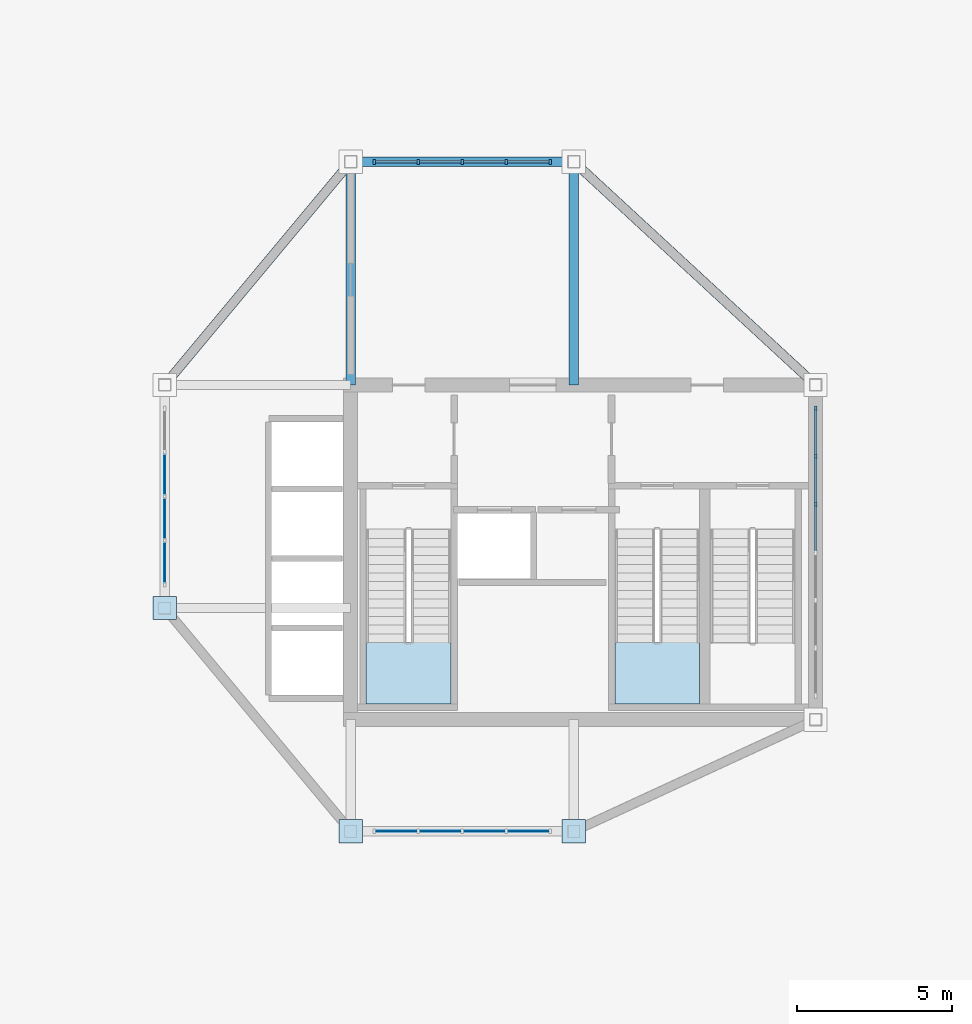
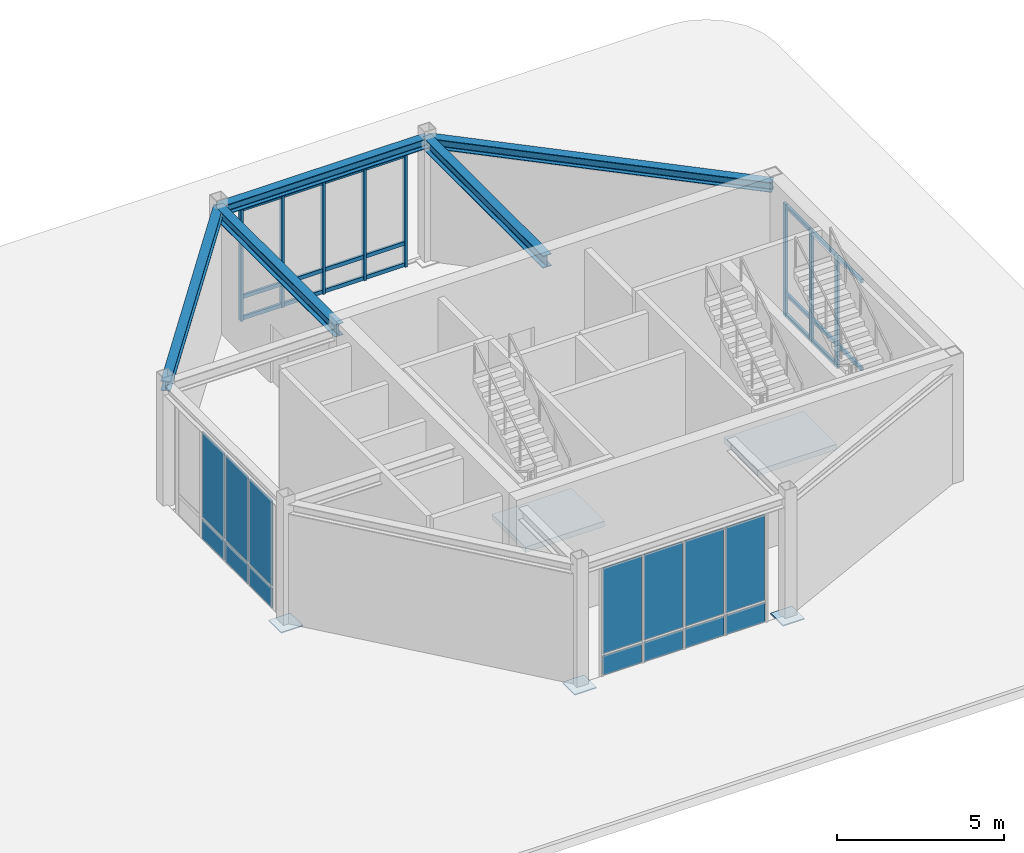
# One storey, part 2 of 5: 28 members, 17 plates, 5 beams, 2 slabs, 6 elements without a shape of their own.
"""IFC4 building model written with IfcOpenShell, lengths in metres."""

import ifcopenshell
import ifcopenshell.guid

model = None  # the IFC model being written
_history = None  # IfcOwnerHistory: only IFC2X3 demands one
_inside = {}  # id of a spatial element -> (the spatial element, [elements in it])
_under = {}  # id of a project, library or spatial element -> (it, [spatial elements below it])
_declared = {}  # id of a project -> (the project, [libraries it declares])
_typed = {}  # id of a type object -> (the type object, [elements of that type])
_made_of = {}  # id of a material, layer set ... -> (it, [elements and type objects made of it])


def new_model(schema):
    """Start an empty IFC model of exactly this schema.

    Asked for "IFC4X3", IfcOpenShell would pick the latest addendum, in which some entities
    have other attributes; the version numbers below select the first issue.
    IFC2X3 requires an IfcOwnerHistory on every rooted entity: one is made here for all.
    """
    global model, _history
    if schema == "IFC4X3":
        model = ifcopenshell.file(schema_version=(4, 3, 0, 0))
    else:
        model = ifcopenshell.file(schema=schema)
    _inside.clear()
    _under.clear()
    _declared.clear()
    _typed.clear()
    _made_of.clear()
    _history = None
    if model.schema == "IFC2X3":
        org = make("IfcOrganization", Name="unknown")
        user = make(
            "IfcPersonAndOrganization",
            ThePerson=make("IfcPerson", FamilyName="unknown"),
            TheOrganization=org,
        )
        app = make(
            "IfcApplication",
            ApplicationDeveloper=org,
            Version="unknown",
            ApplicationFullName="unknown",
            ApplicationIdentifier="unknown",
        )
        _history = make(
            "IfcOwnerHistory",
            OwningUser=user,
            OwningApplication=app,
            ChangeAction="ADDED",
            CreationDate=0,
        )
    return model


def make(cls, **values):
    """One entity of the class cls with the attributes given. An attribute that is None is left unset."""
    return model.create_entity(
        cls, **{name: value for name, value in values.items() if value is not None}
    )


def rooted(cls, **values):
    """An entity with a GlobalId (a new one), such as an element, a storey or a relation."""
    return make(cls, GlobalId=ifcopenshell.guid.new(), OwnerHistory=_history, **values)


def si_unit(unit_type, name, prefix=None):
    """IfcSIUnit, for example si_unit("LENGTHUNIT", "METRE", prefix="MILLI")."""
    return make("IfcSIUnit", UnitType=unit_type, Prefix=prefix, Name=name)


def derived_unit(unit_type, elements):
    """IfcDerivedUnit: a product of units, each with its exponent."""
    return make(
        "IfcDerivedUnit",
        Elements=[
            make("IfcDerivedUnitElement", Unit=unit, Exponent=power)
            for unit, power in elements
        ],
        UnitType=unit_type,
    )


def assignment(units):
    """IfcUnitAssignment: the units of a project."""
    return None if units is None else make("IfcUnitAssignment", Units=units)


def point(xyz):
    """IfcCartesianPoint."""
    return None if xyz is None else make("IfcCartesianPoint", Coordinates=xyz)


def direction(xyz):
    """IfcDirection."""
    return None if xyz is None else make("IfcDirection", DirectionRatios=xyz)


def frame(location, z_axis=None, x_axis=None):
    """IfcAxis2Placement3D, a coordinate frame: its origin and axes. An axis left out is left unset."""
    return make(
        "IfcAxis2Placement3D",
        Location=point(location),
        Axis=direction(z_axis),
        RefDirection=direction(x_axis),
    )


def frame_2d(location, x_axis=None):
    """IfcAxis2Placement2D, a coordinate frame in the plane: its origin and x axis."""
    return make(
        "IfcAxis2Placement2D", Location=point(location), RefDirection=direction(x_axis)
    )


def origin():
    """The frame at (0, 0, 0) with its axes left unset."""
    return frame((0.0, 0.0, 0.0))


def origin_2d():
    """The frame at (0, 0) in the plane with its x axis left unset."""
    return frame_2d((0.0, 0.0))


def place(relative_to, where):
    """IfcLocalPlacement: puts the frame where relative to a parent placement (None: the world)."""
    return make(
        "IfcLocalPlacement", PlacementRelTo=relative_to, RelativePlacement=where
    )


def context(
    kind, dimensions, precision=None, world=None, true_north=None, identifier=None
):
    """IfcGeometricRepresentationContext, for example the 3D "Model" context."""
    return make(
        "IfcGeometricRepresentationContext",
        ContextIdentifier=identifier,
        ContextType=kind,
        CoordinateSpaceDimension=dimensions,
        Precision=precision,
        WorldCoordinateSystem=world,
        TrueNorth=true_north,
    )


def subcontext(parent, identifier, kind, view, scale=None):
    """IfcGeometricRepresentationSubContext, for example "Body" below "Model"."""
    return make(
        "IfcGeometricRepresentationSubContext",
        ContextIdentifier=identifier,
        ContextType=kind,
        ParentContext=parent,
        TargetScale=scale,
        TargetView=view,
    )


def project(units=None, contexts=None):
    """IfcProject with its units and contexts."""
    return rooted(
        "IfcProject",
        Name="project",
        RepresentationContexts=contexts,
        UnitsInContext=assignment(units),
    )


def spatial(cls, under=None, at=None, **own):
    """A site, building, storey or space (cls), placed at a placement, below another one or the project."""
    s = rooted(cls, ObjectPlacement=at, **own)
    if under is not None:
        _under.setdefault(under.id(), (under, []))[1].append(s)
    return s


def polyline(points):
    """IfcPolyline through the points."""
    return make("IfcPolyline", Points=[point(p) for p in points])


def profile(cls, at=None, kind="AREA", **sizes):
    """A parametric profile (cls). Its sizes go by their IFC names, for example OverallWidth=200.0."""
    return make(cls, ProfileType=kind, Position=at, **sizes)


def rectangle(**sizes):
    """IfcRectangleProfileDef."""
    return profile("IfcRectangleProfileDef", **sizes)


def i_section(**sizes):
    """IfcIShapeProfileDef."""
    return profile("IfcIShapeProfileDef", **sizes)


def outline(outer, holes=None, kind="AREA"):
    """IfcArbitraryClosedProfileDef: a profile drawn as a closed curve; with holes, ...WithVoids."""
    if holes is None:
        return make("IfcArbitraryClosedProfileDef", ProfileType=kind, OuterCurve=outer)
    return make(
        "IfcArbitraryProfileDefWithVoids",
        ProfileType=kind,
        OuterCurve=outer,
        InnerCurves=holes,
    )


def extrude(swept, where, along, depth):
    """IfcExtrudedAreaSolid: the profile swept, set in the frame where, extruded along a direction by depth."""
    return make(
        "IfcExtrudedAreaSolid",
        SweptArea=swept,
        Position=where,
        ExtrudedDirection=direction(along),
        Depth=depth,
    )


def shape(context_of_items, identifier, shape_type, items):
    """IfcShapeRepresentation: the items that make up one representation, for example the "Body"."""
    return make(
        "IfcShapeRepresentation",
        ContextOfItems=context_of_items,
        RepresentationIdentifier=identifier,
        RepresentationType=shape_type,
        Items=items,
    )


def source(mapping_origin, context_of_items, identifier, shape_type, items):
    """IfcRepresentationMap: a shape defined once, which mapped items show again and again."""
    return make(
        "IfcRepresentationMap",
        MappingOrigin=mapping_origin,
        MappedRepresentation=shape(context_of_items, identifier, shape_type, items),
    )


def transform(
    local_origin,
    x_axis=None,
    y_axis=None,
    z_axis=None,
    scale=None,
    scale2=None,
    scale3=None,
    uniform=True,
):
    """IfcCartesianTransformationOperator3D, or its non-uniform kind. x_axis, y_axis, z_axis: its Axis1, 2, 3."""
    if uniform:
        return make(
            "IfcCartesianTransformationOperator3D",
            Axis1=direction(x_axis),
            Axis2=direction(y_axis),
            LocalOrigin=point(local_origin),
            Scale=scale,
            Axis3=direction(z_axis),
        )
    return make(
        "IfcCartesianTransformationOperator3DnonUniform",
        Axis1=direction(x_axis),
        Axis2=direction(y_axis),
        LocalOrigin=point(local_origin),
        Scale=scale,
        Axis3=direction(z_axis),
        Scale2=scale2,
        Scale3=scale3,
    )


def mapped(mapping_source, mapping_target):
    """IfcMappedItem: shows the shape of a source again, moved by a transform."""
    return make(
        "IfcMappedItem", MappingSource=mapping_source, MappingTarget=mapping_target
    )


def material(Name=None, Category=None):
    """IfcMaterial."""
    return make("IfcMaterial", Name=Name, Category=Category)


def layer(
    of_material, thickness, ventilated=None, Name=None, Category=None, Priority=None
):
    """IfcMaterialLayer: one layer of a wall or slab, of a material (None: an air gap)."""
    return make(
        "IfcMaterialLayer",
        Material=of_material,
        LayerThickness=thickness,
        IsVentilated=ventilated,
        Name=Name,
        Category=Category,
        Priority=Priority,
    )


def layer_set(layers, Name=None):
    """IfcMaterialLayerSet."""
    return make("IfcMaterialLayerSet", MaterialLayers=layers, LayerSetName=Name)


def material_profile(
    of_material, cross_section, Name=None, Category=None, Priority=None
):
    """IfcMaterialProfile: a cross section and its material."""
    return make(
        "IfcMaterialProfile",
        Name=Name,
        Material=of_material,
        Profile=cross_section,
        Priority=Priority,
        Category=Category,
    )


def profile_set(profiles, Name=None, composite=None):
    """IfcMaterialProfileSet."""
    return make(
        "IfcMaterialProfileSet",
        Name=Name,
        MaterialProfiles=profiles,
        CompositeProfile=composite,
    )


def made_of(thing, what):
    """Note that an element or type object is made of a material, layer set ...; save() writes the relation."""
    if what is not None:
        _made_of.setdefault(what.id(), (what, []))[1].append(thing)
    return thing


def type_object(cls, material=None, **own):
    """A type object (cls), such as IfcWallType, which elements share."""
    return made_of(rooted(cls, **own), material)


def type_shapes(of_type, sources):
    """Give a type object the sources (RepresentationMaps) that its elements show as mapped items."""
    of_type.RepresentationMaps = sources


def element(
    cls,
    number,
    at=None,
    inside=None,
    cuts=None,
    type_object=None,
    material=None,
    context=None,
    identifier="Body",
    shape_type=None,
    held_by="IfcProductDefinitionShape",
    body=None,
    shapes=None,
    **own,
):
    """One element of the class cls, such as IfcWall. Its Tag is "e" and its number.

    at: its placement. inside: the storey or other place that contains it. cuts: it is an
    opening in that element (IfcRelVoidsElement). A single representation is given by context,
    identifier, shape_type and body (its items); several are given by shapes. held_by: the class
    of the entity that holds the representations. save() writes the other relations.
    """
    e = rooted(cls, Tag="e%d" % number, ObjectPlacement=at, **own)
    if body is not None:
        shapes = [shape(context, identifier, shape_type, body)]
    if shapes is not None:
        e.Representation = make(held_by, Representations=shapes)
    if inside is not None:
        _inside.setdefault(inside.id(), (inside, []))[1].append(e)
    if cuts is not None:
        rooted(
            "IfcRelVoidsElement", RelatingBuildingElement=cuts, RelatedOpeningElement=e
        )
    if type_object is not None:
        _typed.setdefault(type_object.id(), (type_object, []))[1].append(e)
    return made_of(e, material)


def aggregate(whole, parts):
    """IfcRelAggregates: a whole, such as a stair, and the parts it consists of."""
    return rooted("IfcRelAggregates", RelatingObject=whole, RelatedObjects=parts)


def save(model, path):
    """Write the relations noted so far, then the file.

    IfcRelAggregates (storeys below a building ...), IfcRelContainedInSpatialStructure (elements
    in a storey), IfcRelDefinesByType, IfcRelAssociatesMaterial and IfcRelDeclares: one each for
    every whole, place, type object, material and project.
    """
    for whole, parts in _under.values():
        aggregate(whole, parts)
    for where, things in _inside.values():
        rooted(
            "IfcRelContainedInSpatialStructure",
            RelatedElements=things,
            RelatingStructure=where,
        )
    for kind, things in _typed.values():
        rooted("IfcRelDefinesByType", RelatedObjects=things, RelatingType=kind)
    for what, things in _made_of.values():
        rooted("IfcRelAssociatesMaterial", RelatedObjects=things, RelatingMaterial=what)
    for by, libraries in _declared.values():
        rooted("IfcRelDeclares", RelatingContext=by, RelatedDefinitions=libraries)
    model.write(path)


model = new_model("IFC4")

# Units and contexts
model_context = context("Model", 3, precision=1e-05, world=origin(), true_north=direction((0.0, 1.0)))
body_context = subcontext(model_context, "Body", "Model", "MODEL_VIEW")
ifc_project = project(units=[si_unit("LENGTHUNIT", "METRE"), si_unit("AREAUNIT", "SQUARE_METRE"), si_unit("VOLUMEUNIT", "CUBIC_METRE"), si_unit("PLANEANGLEUNIT", "RADIAN"), si_unit("MASSUNIT", "GRAM", prefix="KILO"), si_unit("THERMODYNAMICTEMPERATUREUNIT", "KELVIN"), si_unit("POWERUNIT", "WATT"), derived_unit("THERMALTRANSMITTANCEUNIT", [(si_unit("POWERUNIT", "WATT"), 1), (si_unit("AREAUNIT", "SQUARE_METRE"), -1), (si_unit("THERMODYNAMICTEMPERATUREUNIT", "KELVIN"), -1)])], contexts=[model_context])

# Site, building, storey
site_placement = place(None, origin())
site = spatial("IfcSite", under=ifc_project, at=site_placement, CompositionType="ELEMENT")
building_placement = place(site_placement, origin())
building = spatial("IfcBuilding", under=site, at=building_placement, Name="Zahravan Archway Hotel and Residences", CompositionType="ELEMENT")
storey_placement = place(building_placement, frame((0.0, 0.0, 299.10009765625)))
storey = spatial("IfcBuildingStorey", under=building, at=storey_placement, Name="L75", CompositionType="ELEMENT", Elevation=299.10009765625)

# Beams
ifc_material_1 = material(Name="Structural Steel S355JR", Category="steel")
ifc_material_profile_1 = material_profile(ifc_material_1, i_section(OverallWidth=0.300048828125, OverallDepth=0.449951171875, WebThickness=0.013916015625, FlangeThickness=0.02587890625, FilletRadius=0.027099609375, at=origin_2d()), Name="HEB 450", Category="steel")
ifc_profile_set_1 = profile_set([ifc_material_profile_1], Name="Structural Steel S355JR")
beam_type_1 = type_object("IfcBeamType", Name="BM-PRI-HEB450", PredefinedType="BEAM", material=ifc_profile_set_1)
shared_shape_1 = source(origin(), body_context, "Body", "SweptSolid", [
    extrude(i_section(OverallWidth=0.300048828125, OverallDepth=0.449951171875, WebThickness=0.013916015625, FlangeThickness=0.02587890625, FilletRadius=0.027099609375, at=origin_2d()), origin(), (0.0, 0.0, 1.0), 7.2001953125),
])
type_shapes(beam_type_1, [shared_shape_1])
for number, where, z_axis, x_axis, name in (
    (1, (42.0, 14.39990234375, 4.27490234375), (0.0, 1.0, 0.0), (-1.0, 0.0, 0.0), "L75 Crown Drum Radial Girder 5"),
    (2, (34.800048828125, 14.39990234375, 4.27490234375), (0.0, 1.0, 0.0), (-1.0, 0.0, 0.0), "L75 Crown Drum Radial Girder 6"),
):
    element("IfcBeam", number, at=place(storey_placement, frame(where, z_axis=z_axis, x_axis=x_axis)), inside=storey, type_object=beam_type_1, Name=name, PredefinedType="BEAM", context=body_context, shape_type="MappedRepresentation", body=[
        mapped(shared_shape_1, transform((0.0, 0.0, 0.0), scale=1.0)),
    ])
ifc_material_profile_2 = material_profile(ifc_material_1, i_section(OverallWidth=0.300048828125, OverallDepth=0.360107421875, WebThickness=0.012451171875, FlangeThickness=0.0224609375, FilletRadius=0.027099609375, at=origin_2d()), Name="HEB 360", Category="steel")
ifc_profile_set_2 = profile_set([ifc_material_profile_2], Name="Structural Steel S355JR")
beam_type_2 = type_object("IfcBeamType", Name="BM-SPN-HEB360", PredefinedType="SPANDREL", material=ifc_profile_set_2)
shared_shape_2 = source(origin(), body_context, "Body", "SweptSolid", [
    extrude(i_section(OverallWidth=0.300048828125, OverallDepth=0.360107421875, WebThickness=0.012451171875, FlangeThickness=0.0224609375, FilletRadius=0.027099609375, at=origin_2d()), origin(), (0.0, 0.0, 1.0), 7.199951171875),
])
type_shapes(beam_type_2, [shared_shape_2])
beam_1_placement = place(storey_placement, frame((42.0, 21.60009765625, 4.31982421875), z_axis=(-1.0, 0.0, 0.0), x_axis=(0.0, -1.0, 0.0)))
element("IfcBeam", 3, at=beam_1_placement, inside=storey, type_object=beam_type_2, Name="L75 Crown Drum Ring Spandrel 5", PredefinedType="SPANDREL", context=body_context, shape_type="MappedRepresentation", body=[
    mapped(shared_shape_2, transform((0.0, 0.0, 0.0), scale=1.0)),
])
shared_shape_3 = source(origin(), body_context, "Body", "SweptSolid", [
    extrude(i_section(OverallWidth=0.300048828125, OverallDepth=0.360107421875, WebThickness=0.012451171875, FlangeThickness=0.0224609375, FilletRadius=0.027099609375, at=origin_2d()), origin(), (0.0, 0.0, 1.0), 10.615234375),
])
beam_2_placement = place(storey_placement, frame((49.800048828125, 14.39990234375, 4.31982421875), z_axis=(-0.734796390569, 0.678287744551, 0.0), x_axis=(-0.678287744551, -0.734796390569, 0.0)))
element("IfcBeam", 4, at=beam_2_placement, inside=storey, type_object=beam_type_2, Name="L75 Crown Drum Ring Spandrel 4", PredefinedType="SPANDREL", context=body_context, shape_type="MappedRepresentation", body=[
    mapped(shared_shape_3, transform((0.0, 0.0, 0.0), scale=1.0)),
])
shared_shape_4 = source(origin(), body_context, "Body", "SweptSolid", [
    extrude(i_section(OverallWidth=0.300048828125, OverallDepth=0.360107421875, WebThickness=0.012451171875, FlangeThickness=0.0224609375, FilletRadius=0.027099609375, at=origin_2d()), origin(), (0.0, 0.0, 1.0), 9.37255859375),
])
beam_3_placement = place(storey_placement, frame((34.800048828125, 21.60009765625, 4.31982421875), z_axis=(-0.640174150918, -0.768229820104, 0.0), x_axis=(0.768229820104, -0.640174150918, 0.0)))
element("IfcBeam", 5, at=beam_3_placement, inside=storey, type_object=beam_type_2, Name="L75 Crown Drum Ring Spandrel 6", PredefinedType="SPANDREL", context=body_context, shape_type="MappedRepresentation", body=[
    mapped(shared_shape_4, transform((0.0, 0.0, 0.0), scale=1.0)),
])

# Curtain wall, members
ifc_material_2 = material(Name="Bronze-Anodized Unitised Aluminium & Low-E Glass", Category="aluminium")
ifc_layer_1 = layer(ifc_material_2, 0.179931640625, Name="Bronze-Anodized Unitised Aluminium & Low-E Glass", Category="aluminium")
ifc_layer_set_1 = layer_set([ifc_layer_1], Name="Bronze-Anodized Unitised Aluminium & Low-E Glass")
curtain_wall_type = type_object("IfcCurtainWallType", Name="CW-CRN-DRUM", PredefinedType="NOTDEFINED", material=ifc_layer_set_1)
curtain_wall_1_placement = place(storey_placement, origin())
curtain_wall_1 = element("IfcCurtainWall", 6, at=curtain_wall_1_placement, inside=storey, type_object=curtain_wall_type, Name="L75 Curtain Wall CW-DRUM-L75-5-1", PredefinedType="NOTDEFINED")
ifc_material_3 = material(Name="Bronze-Anodized Extruded Aluminium", Category="aluminium")
ifc_material_profile_3 = material_profile(ifc_material_3, rectangle(XDim=0.080078125, YDim=0.139892578125, at=origin_2d()), Name="TRN 80x140", Category="aluminium")
ifc_profile_set_3 = profile_set([ifc_material_profile_3], Name="Bronze-Anodized Extruded Aluminium")
member_type_1 = type_object("IfcMemberType", Name="CWM-TRN-140", PredefinedType="USERDEFINED", material=ifc_profile_set_3)
shared_shape_5 = source(origin(), body_context, "Body", "SweptSolid", [
    extrude(rectangle(XDim=0.080078125, YDim=0.139892578125, at=origin_2d()), origin(), (0.0, 0.0, 1.0), 1.33984375),
])
member_1_placement = place(storey_placement, frame((41.199951171875, 21.60009765625, 0.06982421875), z_axis=(-1.0, 0.0, 0.0), x_axis=(0.0, -1.0, 0.0)))
member_1 = element("IfcMember", 7, at=member_1_placement, type_object=member_type_1, Name="CW-DRUM-L75-5-1 Transom 0-1", ObjectType="TRANSOM", PredefinedType="USERDEFINED", context=body_context, shape_type="MappedRepresentation", body=[
    mapped(shared_shape_5, transform((0.0, 0.0, 0.0), scale=1.0)),
])
member_2_placement = place(storey_placement, frame((41.199951171875, 21.60009765625, 0.849853515625), z_axis=(-1.0, 0.0, 0.0), x_axis=(0.0, -1.0, 0.0)))
member_2 = element("IfcMember", 8, at=member_2_placement, type_object=member_type_1, Name="CW-DRUM-L75-5-1 Transom 0-2", ObjectType="TRANSOM", PredefinedType="USERDEFINED", context=body_context, shape_type="MappedRepresentation", body=[
    mapped(shared_shape_5, transform((0.0, 0.0, 0.0), scale=1.0)),
])
member_3_placement = place(storey_placement, frame((41.199951171875, 21.60009765625, 4.054931640625), z_axis=(-1.0, 0.0, 0.0), x_axis=(0.0, -1.0, 0.0)))
member_3 = element("IfcMember", 9, at=member_3_placement, type_object=member_type_1, Name="CW-DRUM-L75-5-1 Transom 0-3", ObjectType="TRANSOM", PredefinedType="USERDEFINED", context=body_context, shape_type="MappedRepresentation", body=[
    mapped(shared_shape_5, transform((0.0, 0.0, 0.0), scale=1.0)),
])
member_4_placement = place(storey_placement, frame((36.93994140625, 21.60009765625, 0.06982421875), z_axis=(-1.0, 0.0, 0.0), x_axis=(0.0, -1.0, 0.0)))
member_4 = element("IfcMember", 10, at=member_4_placement, type_object=member_type_1, Name="CW-DRUM-L75-5-1 Transom 3-1", ObjectType="TRANSOM", PredefinedType="USERDEFINED", context=body_context, shape_type="MappedRepresentation", body=[
    mapped(shared_shape_5, transform((0.0, 0.0, 0.0), scale=1.0)),
])
member_5_placement = place(storey_placement, frame((36.93994140625, 21.60009765625, 0.849853515625), z_axis=(-1.0, 0.0, 0.0), x_axis=(0.0, -1.0, 0.0)))
member_5 = element("IfcMember", 11, at=member_5_placement, type_object=member_type_1, Name="CW-DRUM-L75-5-1 Transom 3-2", ObjectType="TRANSOM", PredefinedType="USERDEFINED", context=body_context, shape_type="MappedRepresentation", body=[
    mapped(shared_shape_5, transform((0.0, 0.0, 0.0), scale=1.0)),
])
member_6_placement = place(storey_placement, frame((36.93994140625, 21.60009765625, 4.054931640625), z_axis=(-1.0, 0.0, 0.0), x_axis=(0.0, -1.0, 0.0)))
member_6 = element("IfcMember", 12, at=member_6_placement, type_object=member_type_1, Name="CW-DRUM-L75-5-1 Transom 3-3", ObjectType="TRANSOM", PredefinedType="USERDEFINED", context=body_context, shape_type="MappedRepresentation", body=[
    mapped(shared_shape_5, transform((0.0, 0.0, 0.0), scale=1.0)),
])
shared_shape_6 = source(origin(), body_context, "Body", "SweptSolid", [
    extrude(rectangle(XDim=0.080078125, YDim=0.139892578125, at=origin_2d()), origin(), (0.0, 0.0, 1.0), 1.340087890625),
])
member_7_placement = place(storey_placement, frame((39.780029296875, 21.60009765625, 0.06982421875), z_axis=(-1.0, 0.0, 0.0), x_axis=(0.0, -1.0, 0.0)))
member_7 = element("IfcMember", 13, at=member_7_placement, type_object=member_type_1, Name="CW-DRUM-L75-5-1 Transom 1-1", ObjectType="TRANSOM", PredefinedType="USERDEFINED", context=body_context, shape_type="MappedRepresentation", body=[
    mapped(shared_shape_6, transform((0.0, 0.0, 0.0), scale=1.0)),
])
member_8_placement = place(storey_placement, frame((39.780029296875, 21.60009765625, 0.849853515625), z_axis=(-1.0, 0.0, 0.0), x_axis=(0.0, -1.0, 0.0)))
member_8 = element("IfcMember", 14, at=member_8_placement, type_object=member_type_1, Name="CW-DRUM-L75-5-1 Transom 1-2", ObjectType="TRANSOM", PredefinedType="USERDEFINED", context=body_context, shape_type="MappedRepresentation", body=[
    mapped(shared_shape_6, transform((0.0, 0.0, 0.0), scale=1.0)),
])
member_9_placement = place(storey_placement, frame((39.780029296875, 21.60009765625, 4.054931640625), z_axis=(-1.0, 0.0, 0.0), x_axis=(0.0, -1.0, 0.0)))
member_9 = element("IfcMember", 15, at=member_9_placement, type_object=member_type_1, Name="CW-DRUM-L75-5-1 Transom 1-3", ObjectType="TRANSOM", PredefinedType="USERDEFINED", context=body_context, shape_type="MappedRepresentation", body=[
    mapped(shared_shape_6, transform((0.0, 0.0, 0.0), scale=1.0)),
])
member_10_placement = place(storey_placement, frame((38.360107421875, 21.60009765625, 0.06982421875), z_axis=(-1.0, 0.0, 0.0), x_axis=(0.0, -1.0, 0.0)))
member_10 = element("IfcMember", 16, at=member_10_placement, type_object=member_type_1, Name="CW-DRUM-L75-5-1 Transom 2-1", ObjectType="TRANSOM", PredefinedType="USERDEFINED", context=body_context, shape_type="MappedRepresentation", body=[
    mapped(shared_shape_6, transform((0.0, 0.0, 0.0), scale=1.0)),
])
member_11_placement = place(storey_placement, frame((38.360107421875, 21.60009765625, 0.849853515625), z_axis=(-1.0, 0.0, 0.0), x_axis=(0.0, -1.0, 0.0)))
member_11 = element("IfcMember", 17, at=member_11_placement, type_object=member_type_1, Name="CW-DRUM-L75-5-1 Transom 2-2", ObjectType="TRANSOM", PredefinedType="USERDEFINED", context=body_context, shape_type="MappedRepresentation", body=[
    mapped(shared_shape_6, transform((0.0, 0.0, 0.0), scale=1.0)),
])
member_12_placement = place(storey_placement, frame((38.360107421875, 21.60009765625, 4.054931640625), z_axis=(-1.0, 0.0, 0.0), x_axis=(0.0, -1.0, 0.0)))
member_12 = element("IfcMember", 18, at=member_12_placement, type_object=member_type_1, Name="CW-DRUM-L75-5-1 Transom 2-3", ObjectType="TRANSOM", PredefinedType="USERDEFINED", context=body_context, shape_type="MappedRepresentation", body=[
    mapped(shared_shape_6, transform((0.0, 0.0, 0.0), scale=1.0)),
])

curtain_wall_2_placement = place(storey_placement, origin())
curtain_wall_2 = element("IfcCurtainWall", 19, at=curtain_wall_2_placement, inside=storey, type_object=curtain_wall_type, Name="L75 Curtain Wall CW-DRUM-L75-3-1", PredefinedType="NOTDEFINED")
ifc_material_profile_4 = material_profile(ifc_material_3, rectangle(XDim=0.080078125, YDim=0.159912109375, at=origin_2d()), Name="MUL 80x160", Category="aluminium")
ifc_profile_set_4 = profile_set([ifc_material_profile_4], Name="Bronze-Anodized Extruded Aluminium")
member_type_2 = type_object("IfcMemberType", Name="CWM-MUL-160", PredefinedType="MULLION", material=ifc_profile_set_4)
shared_shape_7 = source(origin(), body_context, "Body", "SweptSolid", [
    extrude(rectangle(XDim=0.080078125, YDim=0.159912109375, at=origin_2d()), origin(), (0.0, 0.0, 1.0), 4.125),
])
member_13_placement = place(storey_placement, frame((49.800048828125, 10.546630859375, 0.0), z_axis=(0.0, 0.0, 1.0), x_axis=(1.0, 0.0, 0.0)))
member_13 = element("IfcMember", 20, at=member_13_placement, type_object=member_type_2, Name="CW-DRUM-L75-3-1 Mullion 4", PredefinedType="MULLION", context=body_context, shape_type="MappedRepresentation", body=[
    mapped(shared_shape_7, transform((0.0, 0.0, 0.0), scale=1.0)),
])
member_14_placement = place(storey_placement, frame((49.800048828125, 12.09326171875, 0.0), z_axis=(0.0, 0.0, 1.0), x_axis=(1.0, 0.0, 0.0)))
member_14 = element("IfcMember", 21, at=member_14_placement, type_object=member_type_2, Name="CW-DRUM-L75-3-1 Mullion 5", PredefinedType="MULLION", context=body_context, shape_type="MappedRepresentation", body=[
    mapped(shared_shape_7, transform((0.0, 0.0, 0.0), scale=1.0)),
])
member_15_placement = place(storey_placement, frame((49.800048828125, 13.639892578125, 0.0), z_axis=(0.0, 0.0, 1.0), x_axis=(1.0, 0.0, 0.0)))
member_15 = element("IfcMember", 22, at=member_15_placement, type_object=member_type_2, Name="CW-DRUM-L75-3-1 Mullion 6", PredefinedType="MULLION", context=body_context, shape_type="MappedRepresentation", body=[
    mapped(shared_shape_7, transform((0.0, 0.0, 0.0), scale=1.0)),
])

# Member
member_16_placement = place(storey_placement, frame((41.239990234375, 21.60009765625, 0.0), z_axis=(0.0, 0.0, 1.0), x_axis=(1.0, 0.0, 0.0)))
member_16 = element("IfcMember", 23, at=member_16_placement, type_object=member_type_2, Name="CW-DRUM-L75-5-1 Mullion 0", PredefinedType="MULLION", context=body_context, shape_type="MappedRepresentation", body=[
    mapped(shared_shape_7, transform((0.0, 0.0, 0.0), scale=1.0)),
])

member_17_placement = place(storey_placement, frame((39.820068359375, 21.60009765625, 0.0), z_axis=(0.0, 0.0, 1.0), x_axis=(1.0, 0.0, 0.0)))
member_17 = element("IfcMember", 24, at=member_17_placement, type_object=member_type_2, Name="CW-DRUM-L75-5-1 Mullion 1", PredefinedType="MULLION", context=body_context, shape_type="MappedRepresentation", body=[
    mapped(shared_shape_7, transform((0.0, 0.0, 0.0), scale=1.0)),
])

member_18_placement = place(storey_placement, frame((38.39990234375, 21.60009765625, 0.0), z_axis=(0.0, 0.0, 1.0), x_axis=(1.0, 0.0, 0.0)))
member_18 = element("IfcMember", 25, at=member_18_placement, type_object=member_type_2, Name="CW-DRUM-L75-5-1 Mullion 2", PredefinedType="MULLION", context=body_context, shape_type="MappedRepresentation", body=[
    mapped(shared_shape_7, transform((0.0, 0.0, 0.0), scale=1.0)),
])

member_19_placement = place(storey_placement, frame((36.97998046875, 21.60009765625, 0.0), z_axis=(0.0, 0.0, 1.0), x_axis=(1.0, 0.0, 0.0)))
member_19 = element("IfcMember", 26, at=member_19_placement, type_object=member_type_2, Name="CW-DRUM-L75-5-1 Mullion 3", PredefinedType="MULLION", context=body_context, shape_type="MappedRepresentation", body=[
    mapped(shared_shape_7, transform((0.0, 0.0, 0.0), scale=1.0)),
])

member_20_placement = place(storey_placement, frame((35.56005859375, 21.60009765625, 0.0), z_axis=(0.0, 0.0, 1.0), x_axis=(1.0, 0.0, 0.0)))
member_20 = element("IfcMember", 27, at=member_20_placement, type_object=member_type_2, Name="CW-DRUM-L75-5-1 Mullion 4", PredefinedType="MULLION", context=body_context, shape_type="MappedRepresentation", body=[
    mapped(shared_shape_7, transform((0.0, 0.0, 0.0), scale=1.0)),
])

aggregate(curtain_wall_1, [member_16, member_17, member_18, member_19, member_20, member_1, member_2, member_3, member_7, member_8, member_9, member_10, member_11, member_12, member_4, member_5, member_6])

shared_shape_8 = source(origin(), body_context, "Body", "SweptSolid", [
    extrude(rectangle(XDim=0.080078125, YDim=0.139892578125, at=origin_2d()), origin(), (0.0, 0.0, 1.0), 1.466796875),
])
member_21_placement = place(storey_placement, frame((49.800048828125, 12.13330078125, 0.06982421875), z_axis=(0.0, 1.0, 0.0), x_axis=(-1.0, 0.0, 0.0)))
member_21 = element("IfcMember", 28, at=member_21_placement, type_object=member_type_1, Name="CW-DRUM-L75-3-1 Transom 5-1", ObjectType="TRANSOM", PredefinedType="USERDEFINED", context=body_context, shape_type="MappedRepresentation", body=[
    mapped(shared_shape_8, transform((0.0, 0.0, 0.0), scale=1.0)),
])

member_22_placement = place(storey_placement, frame((49.800048828125, 12.13330078125, 0.849853515625), z_axis=(0.0, 1.0, 0.0), x_axis=(-1.0, 0.0, 0.0)))
member_22 = element("IfcMember", 29, at=member_22_placement, type_object=member_type_1, Name="CW-DRUM-L75-3-1 Transom 5-2", ObjectType="TRANSOM", PredefinedType="USERDEFINED", context=body_context, shape_type="MappedRepresentation", body=[
    mapped(shared_shape_8, transform((0.0, 0.0, 0.0), scale=1.0)),
])

member_23_placement = place(storey_placement, frame((49.800048828125, 12.13330078125, 4.054931640625), z_axis=(0.0, 1.0, 0.0), x_axis=(-1.0, 0.0, 0.0)))
member_23 = element("IfcMember", 30, at=member_23_placement, type_object=member_type_1, Name="CW-DRUM-L75-3-1 Transom 5-3", ObjectType="TRANSOM", PredefinedType="USERDEFINED", context=body_context, shape_type="MappedRepresentation", body=[
    mapped(shared_shape_8, transform((0.0, 0.0, 0.0), scale=1.0)),
])

shared_shape_9 = source(origin(), body_context, "Body", "SweptSolid", [
    extrude(rectangle(XDim=0.080078125, YDim=0.139892578125, at=origin_2d()), origin(), (0.0, 0.0, 1.0), 1.466552734375),
])
member_24_placement = place(storey_placement, frame((49.800048828125, 9.0400390625, 0.849853515625), z_axis=(0.0, 1.0, 0.0), x_axis=(-1.0, 0.0, 0.0)))
member_24 = element("IfcMember", 31, at=member_24_placement, type_object=member_type_1, Name="CW-DRUM-L75-3-1 Transom 3-2", ObjectType="TRANSOM", PredefinedType="USERDEFINED", context=body_context, shape_type="MappedRepresentation", body=[
    mapped(shared_shape_9, transform((0.0, 0.0, 0.0), scale=1.0)),
])

member_25_placement = place(storey_placement, frame((49.800048828125, 9.0400390625, 4.054931640625), z_axis=(0.0, 1.0, 0.0), x_axis=(-1.0, 0.0, 0.0)))
member_25 = element("IfcMember", 32, at=member_25_placement, type_object=member_type_1, Name="CW-DRUM-L75-3-1 Transom 3-3", ObjectType="TRANSOM", PredefinedType="USERDEFINED", context=body_context, shape_type="MappedRepresentation", body=[
    mapped(shared_shape_9, transform((0.0, 0.0, 0.0), scale=1.0)),
])

member_26_placement = place(storey_placement, frame((49.800048828125, 10.586669921875, 0.06982421875), z_axis=(0.0, 1.0, 0.0), x_axis=(-1.0, 0.0, 0.0)))
member_26 = element("IfcMember", 33, at=member_26_placement, type_object=member_type_1, Name="CW-DRUM-L75-3-1 Transom 4-1", ObjectType="TRANSOM", PredefinedType="USERDEFINED", context=body_context, shape_type="MappedRepresentation", body=[
    mapped(shared_shape_9, transform((0.0, 0.0, 0.0), scale=1.0)),
])

member_27_placement = place(storey_placement, frame((49.800048828125, 10.586669921875, 0.849853515625), z_axis=(0.0, 1.0, 0.0), x_axis=(-1.0, 0.0, 0.0)))
member_27 = element("IfcMember", 34, at=member_27_placement, type_object=member_type_1, Name="CW-DRUM-L75-3-1 Transom 4-2", ObjectType="TRANSOM", PredefinedType="USERDEFINED", context=body_context, shape_type="MappedRepresentation", body=[
    mapped(shared_shape_9, transform((0.0, 0.0, 0.0), scale=1.0)),
])

member_28_placement = place(storey_placement, frame((49.800048828125, 10.586669921875, 4.054931640625), z_axis=(0.0, 1.0, 0.0), x_axis=(-1.0, 0.0, 0.0)))
member_28 = element("IfcMember", 35, at=member_28_placement, type_object=member_type_1, Name="CW-DRUM-L75-3-1 Transom 4-3", ObjectType="TRANSOM", PredefinedType="USERDEFINED", context=body_context, shape_type="MappedRepresentation", body=[
    mapped(shared_shape_9, transform((0.0, 0.0, 0.0), scale=1.0)),
])

aggregate(curtain_wall_2, [member_13, member_14, member_15, member_24, member_25, member_26, member_27, member_28, member_21, member_22, member_23])

# Stair, slab
ifc_material_4 = material(Name="Concrete C50/60", Category="concrete")
stair_type = type_object("IfcStairType", Name="STR-CORE-1300", PredefinedType="HALF_TURN_STAIR", material=ifc_material_4)
stair_1_placement = place(storey_placement, origin())
stair_1 = element("IfcStair", 36, at=stair_1_placement, inside=storey, type_object=stair_type, Name="L75 Core A Exit Stair 1", PredefinedType="HALF_TURN_STAIR")
ifc_layer_2 = layer(ifc_material_4, 0.199951171875, Name="Concrete C50/60", Category="concrete")
ifc_layer_set_2 = layer_set([ifc_layer_2], Name="Concrete C50/60")
slab_type = type_object("IfcSlabType", Name="SLB-LND-200", PredefinedType="LANDING", material=ifc_layer_set_2)
slab_1_placement = place(storey_placement, frame((0.0, 0.0, 2.199951171875)))
slab_1 = element("IfcSlab", 37, at=slab_1_placement, type_object=slab_type, Name="ST-A1 landing 1", PredefinedType="LANDING", context=body_context, shape_type="SweptSolid", body=[
    extrude(outline(polyline([(35.300048828125, 6.090087890625), (35.300048828125, 4.10009765625), (38.0400390625, 4.10009765625), (38.0400390625, 6.090087890625), (35.300048828125, 6.090087890625)])), origin(), (0.0, 0.0, 1.0), 0.199951171875),
])
aggregate(stair_1, [slab_1])

stair_2_placement = place(storey_placement, origin())
stair_2 = element("IfcStair", 38, at=stair_2_placement, inside=storey, type_object=stair_type, Name="L75 Core A Exit Stair 2", PredefinedType="HALF_TURN_STAIR")
slab_2_placement = place(storey_placement, frame((0.0, 0.0, 2.199951171875)))
slab_2 = element("IfcSlab", 39, at=slab_2_placement, type_object=slab_type, Name="ST-A2 landing 1", PredefinedType="LANDING", context=body_context, shape_type="SweptSolid", body=[
    extrude(outline(polyline([(43.320068359375, 6.090087890625), (43.320068359375, 4.10009765625), (46.06005859375, 4.10009765625), (46.06005859375, 6.090087890625), (43.320068359375, 6.090087890625)])), origin(), (0.0, 0.0, 1.0), 0.199951171875),
])
aggregate(stair_2, [slab_2])

# Plates
ifc_material_5 = material(Name="Structural Steel S355J2", Category="steel")
ifc_layer_3 = layer(ifc_material_5, 0.0400390625, Name="Structural Steel S355J2", Category="steel")
ifc_layer_set_3 = layer_set([ifc_layer_3], Name="Structural Steel S355J2")
plate_type_1 = type_object("IfcPlateType", Name="PLT-BASE-MP2", PredefinedType="SHEET", material=ifc_layer_set_3)
shared_shape_10 = source(origin(), body_context, "Body", "SweptSolid", [
    extrude(rectangle(XDim=0.75, YDim=0.75, at=origin_2d()), origin(), (0.0, 0.0, 1.0), 0.0400390625),
])
type_shapes(plate_type_1, [shared_shape_10])
for number, where, z_axis, x_axis, name in (
    (40, (34.800048828125, 0.0, 0.0), (0.0, 0.0, 1.0), (1.0, 0.0, 0.0), "Crown Drum Column Base Plate MP2-1"),
    (41, (42.0, 0.0, 0.0), (0.0, 0.0, 1.0), (1.0, 0.0, 0.0), "Crown Drum Column Base Plate MP2-2"),
    (42, (28.800048828125, 7.199951171875, 0.0), (0.0, 0.0, 1.0), (1.0, 0.0, 0.0), "Crown Drum Column Base Plate MP2-8"),
):
    element("IfcPlate", number, at=place(storey_placement, frame(where, z_axis=z_axis, x_axis=x_axis)), inside=storey, type_object=plate_type_1, Name=name, PredefinedType="SHEET", context=body_context, shape_type="MappedRepresentation", body=[
        mapped(shared_shape_10, transform((0.0, 0.0, 0.0), scale=1.0)),
    ])

# Curtain wall, plates
curtain_wall_3_placement = place(storey_placement, origin())
curtain_wall_3 = element("IfcCurtainWall", 43, at=curtain_wall_3_placement, inside=storey, type_object=curtain_wall_type, Name="L75 Curtain Wall CW-DRUM-L75-1-1", PredefinedType="NOTDEFINED")
ifc_material_6 = material(Name="Insulated Terracotta Spandrel Panel", Category="masonry")
ifc_layer_4 = layer(ifc_material_6, 0.0400390625, Name="Insulated Terracotta Spandrel Panel", Category="masonry")
ifc_layer_set_4 = layer_set([ifc_layer_4], Name="Insulated Terracotta Spandrel Panel")
plate_type_2 = type_object("IfcPlateType", Name="CWP-SPN-40", PredefinedType="SHEET", material=ifc_layer_set_4)
shared_shape_11 = source(origin(), body_context, "Body", "SweptSolid", [
    extrude(rectangle(XDim=1.340087890625, YDim=0.0400390625, at=origin_2d()), origin(), (0.0, 0.0, 1.0), 0.7099609375),
])
plate_1_placement = place(storey_placement, frame((36.27001953125, 0.0, 0.099853515625), z_axis=(0.0, 0.0, 1.0), x_axis=(1.0, 0.0, 0.0)))
plate_1 = element("IfcPlate", 44, at=plate_1_placement, type_object=plate_type_2, Name="CW-DRUM-L75-1-1 Spandrel Panel 0", PredefinedType="SHEET", context=body_context, shape_type="MappedRepresentation", body=[
    mapped(shared_shape_11, transform((0.0, 0.0, 0.0), scale=1.0)),
])
plate_2_placement = place(storey_placement, frame((37.68994140625, 0.0, 0.099853515625), z_axis=(0.0, 0.0, 1.0), x_axis=(1.0, 0.0, 0.0)))
plate_2 = element("IfcPlate", 45, at=plate_2_placement, type_object=plate_type_2, Name="CW-DRUM-L75-1-1 Spandrel Panel 1", PredefinedType="SHEET", context=body_context, shape_type="MappedRepresentation", body=[
    mapped(shared_shape_11, transform((0.0, 0.0, 0.0), scale=1.0)),
])
plate_3_placement = place(storey_placement, frame((39.110107421875, 0.0, 0.099853515625), z_axis=(0.0, 0.0, 1.0), x_axis=(1.0, 0.0, 0.0)))
plate_3 = element("IfcPlate", 46, at=plate_3_placement, type_object=plate_type_2, Name="CW-DRUM-L75-1-1 Spandrel Panel 2", PredefinedType="SHEET", context=body_context, shape_type="MappedRepresentation", body=[
    mapped(shared_shape_11, transform((0.0, 0.0, 0.0), scale=1.0)),
])
plate_4_placement = place(storey_placement, frame((40.530029296875, 0.0, 0.099853515625), z_axis=(0.0, 0.0, 1.0), x_axis=(1.0, 0.0, 0.0)))
plate_4 = element("IfcPlate", 47, at=plate_4_placement, type_object=plate_type_2, Name="CW-DRUM-L75-1-1 Spandrel Panel 3", PredefinedType="SHEET", context=body_context, shape_type="MappedRepresentation", body=[
    mapped(shared_shape_11, transform((0.0, 0.0, 0.0), scale=1.0)),
])

curtain_wall_4_placement = place(storey_placement, origin())
curtain_wall_4 = element("IfcCurtainWall", 48, at=curtain_wall_4_placement, inside=storey, type_object=curtain_wall_type, Name="L75 Curtain Wall CW-DRUM-L75-7-1", PredefinedType="NOTDEFINED")
plate_5_placement = place(storey_placement, frame((28.800048828125, 11.510009765625, 0.099853515625), z_axis=(0.0, 0.0, 1.0), x_axis=(0.0, -1.0, 0.0)))
plate_5 = element("IfcPlate", 49, at=plate_5_placement, type_object=plate_type_2, Name="CW-DRUM-L75-7-1 Spandrel Panel 1", PredefinedType="SHEET", context=body_context, shape_type="MappedRepresentation", body=[
    mapped(shared_shape_11, transform((0.0, 0.0, 0.0), scale=1.0)),
])
plate_6_placement = place(storey_placement, frame((28.800048828125, 10.090087890625, 0.099853515625), z_axis=(0.0, 0.0, 1.0), x_axis=(0.0, -1.0, 0.0)))
plate_6 = element("IfcPlate", 50, at=plate_6_placement, type_object=plate_type_2, Name="CW-DRUM-L75-7-1 Spandrel Panel 2", PredefinedType="SHEET", context=body_context, shape_type="MappedRepresentation", body=[
    mapped(shared_shape_11, transform((0.0, 0.0, 0.0), scale=1.0)),
])
plate_7_placement = place(storey_placement, frame((28.800048828125, 8.669921875, 0.099853515625), z_axis=(0.0, 0.0, 1.0), x_axis=(0.0, -1.0, 0.0)))
plate_7 = element("IfcPlate", 51, at=plate_7_placement, type_object=plate_type_2, Name="CW-DRUM-L75-7-1 Spandrel Panel 3", PredefinedType="SHEET", context=body_context, shape_type="MappedRepresentation", body=[
    mapped(shared_shape_11, transform((0.0, 0.0, 0.0), scale=1.0)),
])

# Plate
ifc_material_7 = material(Name="Double-Silver Low-E Insulated Vision Glass", Category="glass")
ifc_layer_5 = layer(ifc_material_7, 0.028076171875, Name="Double-Silver Low-E Insulated Vision Glass", Category="glass")
ifc_layer_set_5 = layer_set([ifc_layer_5], Name="Double-Silver Low-E Insulated Vision Glass")
plate_type_3 = type_object("IfcPlateType", Name="CWP-GLZ-28", PredefinedType="CURTAIN_PANEL", material=ifc_layer_set_5)
shared_shape_12 = source(origin(), body_context, "Body", "SweptSolid", [
    extrude(rectangle(XDim=1.340087890625, YDim=0.028076171875, at=origin_2d()), origin(), (0.0, 0.0, 1.0), 3.135009765625),
])
plate_8_placement = place(storey_placement, frame((36.27001953125, 0.0, 0.89013671875), z_axis=(0.0, 0.0, 1.0), x_axis=(1.0, 0.0, 0.0)))
plate_8 = element("IfcPlate", 52, at=plate_8_placement, type_object=plate_type_3, Name="CW-DRUM-L75-1-1 Low-E Vision Panel 0", PredefinedType="CURTAIN_PANEL", context=body_context, shape_type="MappedRepresentation", body=[
    mapped(shared_shape_12, transform((0.0, 0.0, 0.0), scale=1.0)),
])

plate_9_placement = place(storey_placement, frame((37.68994140625, 0.0, 0.89013671875), z_axis=(0.0, 0.0, 1.0), x_axis=(1.0, 0.0, 0.0)))
plate_9 = element("IfcPlate", 53, at=plate_9_placement, type_object=plate_type_3, Name="CW-DRUM-L75-1-1 Low-E Vision Panel 1", PredefinedType="CURTAIN_PANEL", context=body_context, shape_type="MappedRepresentation", body=[
    mapped(shared_shape_12, transform((0.0, 0.0, 0.0), scale=1.0)),
])

plate_10_placement = place(storey_placement, frame((39.110107421875, 0.0, 0.89013671875), z_axis=(0.0, 0.0, 1.0), x_axis=(1.0, 0.0, 0.0)))
plate_10 = element("IfcPlate", 54, at=plate_10_placement, type_object=plate_type_3, Name="CW-DRUM-L75-1-1 Low-E Vision Panel 2", PredefinedType="CURTAIN_PANEL", context=body_context, shape_type="MappedRepresentation", body=[
    mapped(shared_shape_12, transform((0.0, 0.0, 0.0), scale=1.0)),
])

plate_11_placement = place(storey_placement, frame((40.530029296875, 0.0, 0.89013671875), z_axis=(0.0, 0.0, 1.0), x_axis=(1.0, 0.0, 0.0)))
plate_11 = element("IfcPlate", 55, at=plate_11_placement, type_object=plate_type_3, Name="CW-DRUM-L75-1-1 Low-E Vision Panel 3", PredefinedType="CURTAIN_PANEL", context=body_context, shape_type="MappedRepresentation", body=[
    mapped(shared_shape_12, transform((0.0, 0.0, 0.0), scale=1.0)),
])

aggregate(curtain_wall_3, [plate_1, plate_8, plate_2, plate_9, plate_3, plate_10, plate_4, plate_11])

plate_12_placement = place(storey_placement, frame((28.800048828125, 11.510009765625, 0.89013671875), z_axis=(0.0, 0.0, 1.0), x_axis=(0.0, -1.0, 0.0)))
plate_12 = element("IfcPlate", 56, at=plate_12_placement, type_object=plate_type_3, Name="CW-DRUM-L75-7-1 Low-E Vision Panel 1", PredefinedType="CURTAIN_PANEL", context=body_context, shape_type="MappedRepresentation", body=[
    mapped(shared_shape_12, transform((0.0, 0.0, 0.0), scale=1.0)),
])

plate_13_placement = place(storey_placement, frame((28.800048828125, 10.090087890625, 0.89013671875), z_axis=(0.0, 0.0, 1.0), x_axis=(0.0, -1.0, 0.0)))
plate_13 = element("IfcPlate", 57, at=plate_13_placement, type_object=plate_type_3, Name="CW-DRUM-L75-7-1 Low-E Vision Panel 2", PredefinedType="CURTAIN_PANEL", context=body_context, shape_type="MappedRepresentation", body=[
    mapped(shared_shape_12, transform((0.0, 0.0, 0.0), scale=1.0)),
])

plate_14_placement = place(storey_placement, frame((28.800048828125, 8.669921875, 0.89013671875), z_axis=(0.0, 0.0, 1.0), x_axis=(0.0, -1.0, 0.0)))
plate_14 = element("IfcPlate", 58, at=plate_14_placement, type_object=plate_type_3, Name="CW-DRUM-L75-7-1 Low-E Vision Panel 3", PredefinedType="CURTAIN_PANEL", context=body_context, shape_type="MappedRepresentation", body=[
    mapped(shared_shape_12, transform((0.0, 0.0, 0.0), scale=1.0)),
])

aggregate(curtain_wall_4, [plate_5, plate_12, plate_6, plate_13, plate_7, plate_14])

save(model, "model.ifc")
